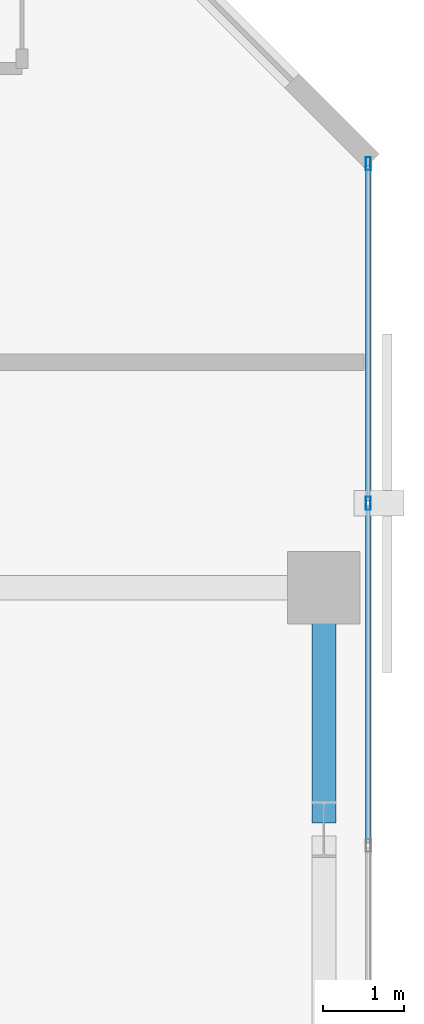
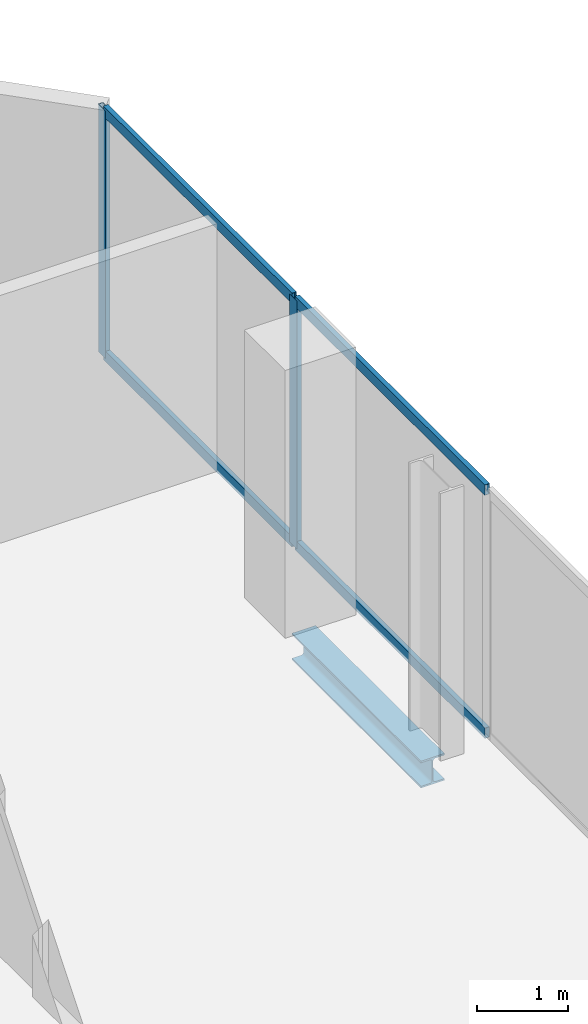
# One storey, part 26 of 34: 6 members, 1 beam, 1 element without a shape of its own.
"""IFC4 building model written with IfcOpenShell, lengths in metres."""

from ifc_helpers import new_model, si_unit, direction, frame, origin, origin_2d, place, context, subcontext, project, spatial, hollow_rectangle, i_section, extrude, material, layer, layer_set, material_profile, profile_set, type_object, element, aggregate, save


model = new_model("IFC4")

# Units and contexts
model_context = context("Model", 3, precision=1e-05, world=origin(), true_north=direction((0.0, 1.0)))
body_context = subcontext(model_context, "Body", "Model", "MODEL_VIEW")
ifc_project = project(units=[si_unit("LENGTHUNIT", "METRE"), si_unit("AREAUNIT", "SQUARE_METRE"), si_unit("VOLUMEUNIT", "CUBIC_METRE"), si_unit("PLANEANGLEUNIT", "RADIAN"), si_unit("MASSUNIT", "GRAM", prefix="KILO")], contexts=[model_context])

# Site, building, storey
site_placement = place(None, origin())
site = spatial("IfcSite", under=ifc_project, at=site_placement, CompositionType="ELEMENT")
building_placement = place(site_placement, origin())
building = spatial("IfcBuilding", under=site, at=building_placement, Name="Catumbela Crestline Tower", CompositionType="ELEMENT")
storey_placement = place(building_placement, frame((0.0, 0.0, 115.2)))
storey = spatial("IfcBuildingStorey", under=building, at=storey_placement, Name="L29", CompositionType="ELEMENT", Elevation=115.2)

# Curtain wall, members
ifc_material_1 = material(Name="Aluminium alloy AW-6060-T66", Category="aluminium")
ifc_layer = layer(ifc_material_1, 0.18, Name="Aluminium alloy AW-6060-T66")
ifc_layer_set = layer_set([ifc_layer], Name="Aluminium alloy AW-6060-T66")
curtain_wall_type = type_object("IfcCurtainWallType", Name="CWU-Z2", PredefinedType="USERDEFINED", material=ifc_layer_set)
curtain_wall_placement = place(storey_placement, origin())
curtain_wall = element("IfcCurtainWall", 1, at=curtain_wall_placement, inside=storey, type_object=curtain_wall_type, Name="L29 Unitised Curtain Wall CW-L29-E5S1", ObjectType="UNITISED", PredefinedType="USERDEFINED")
ifc_material_profile_1 = material_profile(ifc_material_1, hollow_rectangle(XDim=0.06, YDim=0.16, WallThickness=0.004, at=origin_2d()), Name="ALU 160x60x4")
ifc_profile_set_1 = profile_set([ifc_material_profile_1], Name="Aluminium alloy AW-6060-T66")
member_type_1 = type_object("IfcMemberType", Name="MUL-160X60", PredefinedType="MULLION", material=ifc_profile_set_1)
member_1_placement = place(storey_placement, frame((50.95, 40.25, 0.0), z_axis=(0.0, 0.0, 1.0), x_axis=(-1.0, 0.0, 0.0)))
member_1 = element("IfcMember", 2, at=member_1_placement, type_object=member_type_1, Name="CWU-Z2 mullion 4", PredefinedType="MULLION", context=body_context, shape_type="SweptSolid", body=[
    extrude(hollow_rectangle(XDim=0.06, YDim=0.16, WallThickness=0.004, at=origin_2d()), origin(), (0.0, 0.0, 1.0), 3.33),
])
member_2_placement = place(storey_placement, frame((50.95, 44.4675, 0.0), z_axis=(0.0, 0.0, 1.0), x_axis=(-1.0, 0.0, 0.0)))
member_2 = element("IfcMember", 3, at=member_2_placement, type_object=member_type_1, Name="CWU-Z2 mullion 5", PredefinedType="MULLION", context=body_context, shape_type="SweptSolid", body=[
    extrude(hollow_rectangle(XDim=0.06, YDim=0.16, WallThickness=0.004, at=origin_2d()), origin(), (0.0, 0.0, 1.0), 3.33),
])

# Beam
ifc_material_2 = material(Name="Structural steel S355J2", Category="steel")
ifc_material_profile_2 = material_profile(ifc_material_2, i_section(OverallWidth=0.3, OverallDepth=0.36, WebThickness=0.0125, FlangeThickness=0.0225, FilletRadius=0.027, at=origin_2d()), Name="HEB 360")
ifc_profile_set_2 = profile_set([ifc_material_profile_2], Name="Structural steel S355J2")
beam_type = type_object("IfcBeamType", Name="BS-HEB360", PredefinedType="SPANDREL", material=ifc_profile_set_2)
beam_placement = place(storey_placement, frame((50.4, 36.28, -0.44), z_axis=(0.0, 1.0, 0.0), x_axis=(-1.0, 0.0, 0.0)))
element("IfcBeam", 4, at=beam_placement, inside=storey, type_object=beam_type, Name="L29 Spandrel SP-L29-SN36", PredefinedType="SPANDREL", context=body_context, shape_type="SweptSolid", body=[
    extrude(i_section(OverallWidth=0.3, OverallDepth=0.36, WebThickness=0.0125, FlangeThickness=0.0225, FilletRadius=0.027, at=origin_2d()), origin(), (0.0, 0.0, 1.0), 2.84),
])

# Member
ifc_material_profile_3 = material_profile(ifc_material_1, hollow_rectangle(XDim=0.06, YDim=0.14, WallThickness=0.004, at=origin_2d()), Name="ALU 140x60x4")
ifc_profile_set_3 = profile_set([ifc_material_profile_3], Name="Aluminium alloy AW-6060-T66")
member_type_2 = type_object("IfcMemberType", Name="TRN-140X60", PredefinedType="USERDEFINED", material=ifc_profile_set_3)
member_3_placement = place(storey_placement, frame((50.95, 36.0325, 0.03), z_axis=(0.0, 1.0, 0.0), x_axis=(-1.0, 0.0, 0.0)))
member_3 = element("IfcMember", 5, at=member_3_placement, type_object=member_type_2, Name="CWU-Z2 transom 3.1", ObjectType="TRANSOM", PredefinedType="USERDEFINED", context=body_context, shape_type="SweptSolid", body=[
    extrude(hollow_rectangle(XDim=0.06, YDim=0.14, WallThickness=0.004, at=origin_2d()), origin(), (0.0, 0.0, 1.0), 4.185),
])

member_4_placement = place(storey_placement, frame((50.95, 36.0325, 3.3), z_axis=(0.0, 1.0, 0.0), x_axis=(-1.0, 0.0, 0.0)))
member_4 = element("IfcMember", 6, at=member_4_placement, type_object=member_type_2, Name="CWU-Z2 transom 3.2", ObjectType="TRANSOM", PredefinedType="USERDEFINED", context=body_context, shape_type="SweptSolid", body=[
    extrude(hollow_rectangle(XDim=0.06, YDim=0.14, WallThickness=0.004, at=origin_2d()), origin(), (0.0, 0.0, 1.0), 4.185),
])

member_5_placement = place(storey_placement, frame((50.95, 40.2825, 0.03), z_axis=(0.0, 1.0, 0.0), x_axis=(-1.0, 0.0, 0.0)))
member_5 = element("IfcMember", 7, at=member_5_placement, type_object=member_type_2, Name="CWU-Z2 transom 4.1", ObjectType="TRANSOM", PredefinedType="USERDEFINED", context=body_context, shape_type="SweptSolid", body=[
    extrude(hollow_rectangle(XDim=0.06, YDim=0.14, WallThickness=0.004, at=origin_2d()), origin(), (0.0, 0.0, 1.0), 4.1525),
])

member_6_placement = place(storey_placement, frame((50.95, 40.2825, 3.3), z_axis=(0.0, 1.0, 0.0), x_axis=(-1.0, 0.0, 0.0)))
member_6 = element("IfcMember", 8, at=member_6_placement, type_object=member_type_2, Name="CWU-Z2 transom 4.2", ObjectType="TRANSOM", PredefinedType="USERDEFINED", context=body_context, shape_type="SweptSolid", body=[
    extrude(hollow_rectangle(XDim=0.06, YDim=0.14, WallThickness=0.004, at=origin_2d()), origin(), (0.0, 0.0, 1.0), 4.1525),
])

aggregate(curtain_wall, [member_1, member_2, member_3, member_4, member_5, member_6])

save(model, "model.ifc")
